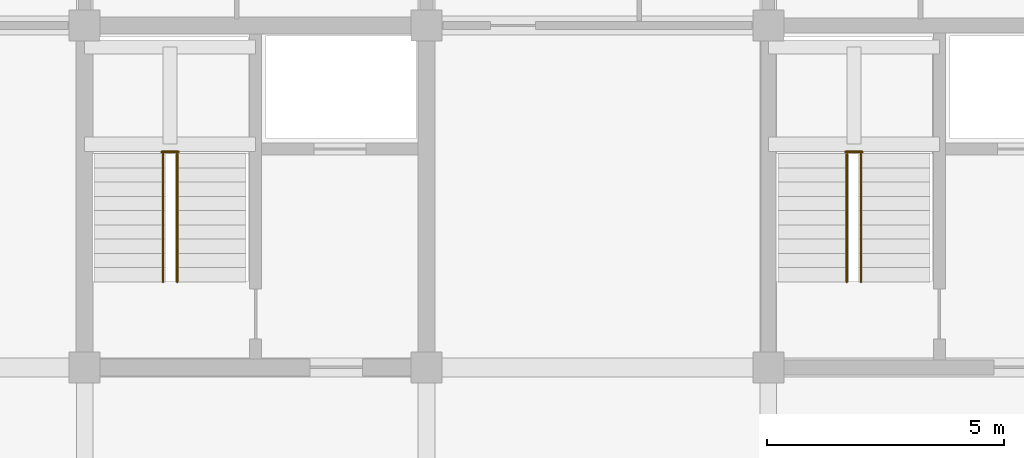
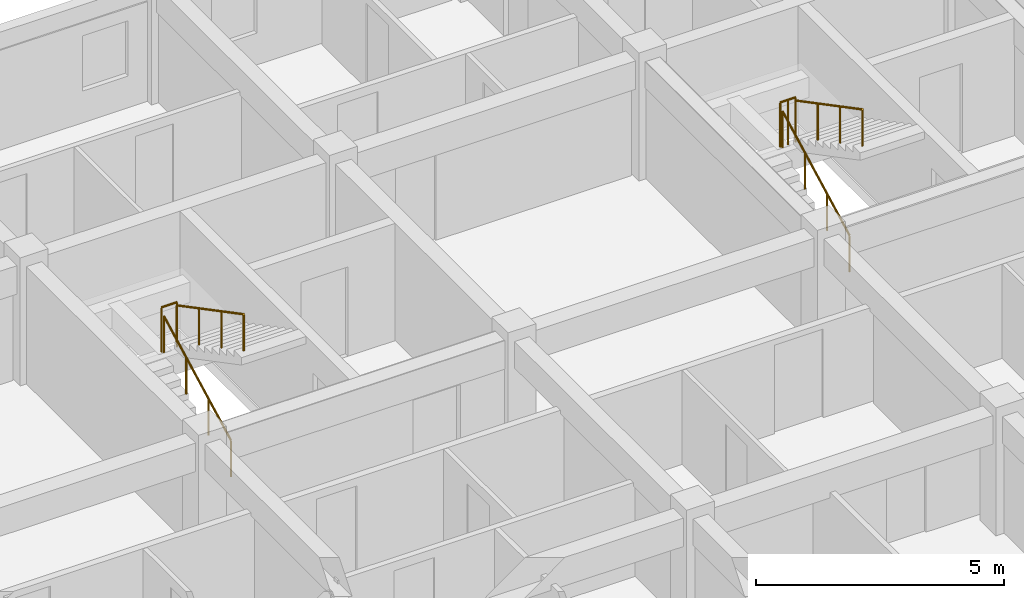
# One storey, part 50 of 50: 6 railings.
"""IFC4 building model written with IfcOpenShell, lengths in metres."""

import ifcopenshell
import ifcopenshell.guid

model = None  # the IFC model being written
_history = None  # IfcOwnerHistory: only IFC2X3 demands one
_inside = {}  # id of a spatial element -> (the spatial element, [elements in it])
_under = {}  # id of a project, library or spatial element -> (it, [spatial elements below it])
_declared = {}  # id of a project -> (the project, [libraries it declares])
_typed = {}  # id of a type object -> (the type object, [elements of that type])
_made_of = {}  # id of a material, layer set ... -> (it, [elements and type objects made of it])


def new_model(schema):
    """Start an empty IFC model of exactly this schema.

    Asked for "IFC4X3", IfcOpenShell would pick the latest addendum, in which some entities
    have other attributes; the version numbers below select the first issue.
    IFC2X3 requires an IfcOwnerHistory on every rooted entity: one is made here for all.
    """
    global model, _history
    if schema == "IFC4X3":
        model = ifcopenshell.file(schema_version=(4, 3, 0, 0))
    else:
        model = ifcopenshell.file(schema=schema)
    _inside.clear()
    _under.clear()
    _declared.clear()
    _typed.clear()
    _made_of.clear()
    _history = None
    if model.schema == "IFC2X3":
        org = make("IfcOrganization", Name="unknown")
        user = make(
            "IfcPersonAndOrganization",
            ThePerson=make("IfcPerson", FamilyName="unknown"),
            TheOrganization=org,
        )
        app = make(
            "IfcApplication",
            ApplicationDeveloper=org,
            Version="unknown",
            ApplicationFullName="unknown",
            ApplicationIdentifier="unknown",
        )
        _history = make(
            "IfcOwnerHistory",
            OwningUser=user,
            OwningApplication=app,
            ChangeAction="ADDED",
            CreationDate=0,
        )
    return model


def make(cls, **values):
    """One entity of the class cls with the attributes given. An attribute that is None is left unset."""
    return model.create_entity(
        cls, **{name: value for name, value in values.items() if value is not None}
    )


def rooted(cls, **values):
    """An entity with a GlobalId (a new one), such as an element, a storey or a relation."""
    return make(cls, GlobalId=ifcopenshell.guid.new(), OwnerHistory=_history, **values)


def si_unit(unit_type, name, prefix=None):
    """IfcSIUnit, for example si_unit("LENGTHUNIT", "METRE", prefix="MILLI")."""
    return make("IfcSIUnit", UnitType=unit_type, Prefix=prefix, Name=name)


def assignment(units):
    """IfcUnitAssignment: the units of a project."""
    return None if units is None else make("IfcUnitAssignment", Units=units)


def point(xyz):
    """IfcCartesianPoint."""
    return None if xyz is None else make("IfcCartesianPoint", Coordinates=xyz)


def direction(xyz):
    """IfcDirection."""
    return None if xyz is None else make("IfcDirection", DirectionRatios=xyz)


def frame(location, z_axis=None, x_axis=None):
    """IfcAxis2Placement3D, a coordinate frame: its origin and axes. An axis left out is left unset."""
    return make(
        "IfcAxis2Placement3D",
        Location=point(location),
        Axis=direction(z_axis),
        RefDirection=direction(x_axis),
    )


def frame_2d(location, x_axis=None):
    """IfcAxis2Placement2D, a coordinate frame in the plane: its origin and x axis."""
    return make(
        "IfcAxis2Placement2D", Location=point(location), RefDirection=direction(x_axis)
    )


def origin():
    """The frame at (0, 0, 0) with its axes left unset."""
    return frame((0.0, 0.0, 0.0))


def origin_2d():
    """The frame at (0, 0) in the plane with its x axis left unset."""
    return frame_2d((0.0, 0.0))


def place(relative_to, where):
    """IfcLocalPlacement: puts the frame where relative to a parent placement (None: the world)."""
    return make(
        "IfcLocalPlacement", PlacementRelTo=relative_to, RelativePlacement=where
    )


def context(
    kind, dimensions, precision=None, world=None, true_north=None, identifier=None
):
    """IfcGeometricRepresentationContext, for example the 3D "Model" context."""
    return make(
        "IfcGeometricRepresentationContext",
        ContextIdentifier=identifier,
        ContextType=kind,
        CoordinateSpaceDimension=dimensions,
        Precision=precision,
        WorldCoordinateSystem=world,
        TrueNorth=true_north,
    )


def subcontext(parent, identifier, kind, view, scale=None):
    """IfcGeometricRepresentationSubContext, for example "Body" below "Model"."""
    return make(
        "IfcGeometricRepresentationSubContext",
        ContextIdentifier=identifier,
        ContextType=kind,
        ParentContext=parent,
        TargetScale=scale,
        TargetView=view,
    )


def project(units=None, contexts=None):
    """IfcProject with its units and contexts."""
    return rooted(
        "IfcProject",
        Name="project",
        RepresentationContexts=contexts,
        UnitsInContext=assignment(units),
    )


def spatial(cls, under=None, at=None, **own):
    """A site, building, storey or space (cls), placed at a placement, below another one or the project."""
    s = rooted(cls, ObjectPlacement=at, **own)
    if under is not None:
        _under.setdefault(under.id(), (under, []))[1].append(s)
    return s


def profile(cls, at=None, kind="AREA", **sizes):
    """A parametric profile (cls). Its sizes go by their IFC names, for example OverallWidth=200.0."""
    return make(cls, ProfileType=kind, Position=at, **sizes)


def circle(**sizes):
    """IfcCircleProfileDef."""
    return profile("IfcCircleProfileDef", **sizes)


def extrude(swept, where, along, depth):
    """IfcExtrudedAreaSolid: the profile swept, set in the frame where, extruded along a direction by depth."""
    return make(
        "IfcExtrudedAreaSolid",
        SweptArea=swept,
        Position=where,
        ExtrudedDirection=direction(along),
        Depth=depth,
    )


def shape(context_of_items, identifier, shape_type, items):
    """IfcShapeRepresentation: the items that make up one representation, for example the "Body"."""
    return make(
        "IfcShapeRepresentation",
        ContextOfItems=context_of_items,
        RepresentationIdentifier=identifier,
        RepresentationType=shape_type,
        Items=items,
    )


def material(Name=None, Category=None):
    """IfcMaterial."""
    return make("IfcMaterial", Name=Name, Category=Category)


def made_of(thing, what):
    """Note that an element or type object is made of a material, layer set ...; save() writes the relation."""
    if what is not None:
        _made_of.setdefault(what.id(), (what, []))[1].append(thing)
    return thing


def type_object(cls, material=None, **own):
    """A type object (cls), such as IfcWallType, which elements share."""
    return made_of(rooted(cls, **own), material)


def element(
    cls,
    number,
    at=None,
    inside=None,
    cuts=None,
    type_object=None,
    material=None,
    context=None,
    identifier="Body",
    shape_type=None,
    held_by="IfcProductDefinitionShape",
    body=None,
    shapes=None,
    **own,
):
    """One element of the class cls, such as IfcWall. Its Tag is "e" and its number.

    at: its placement. inside: the storey or other place that contains it. cuts: it is an
    opening in that element (IfcRelVoidsElement). A single representation is given by context,
    identifier, shape_type and body (its items); several are given by shapes. held_by: the class
    of the entity that holds the representations. save() writes the other relations.
    """
    e = rooted(cls, Tag="e%d" % number, ObjectPlacement=at, **own)
    if body is not None:
        shapes = [shape(context, identifier, shape_type, body)]
    if shapes is not None:
        e.Representation = make(held_by, Representations=shapes)
    if inside is not None:
        _inside.setdefault(inside.id(), (inside, []))[1].append(e)
    if cuts is not None:
        rooted(
            "IfcRelVoidsElement", RelatingBuildingElement=cuts, RelatedOpeningElement=e
        )
    if type_object is not None:
        _typed.setdefault(type_object.id(), (type_object, []))[1].append(e)
    return made_of(e, material)


def aggregate(whole, parts):
    """IfcRelAggregates: a whole, such as a stair, and the parts it consists of."""
    return rooted("IfcRelAggregates", RelatingObject=whole, RelatedObjects=parts)


def save(model, path):
    """Write the relations noted so far, then the file.

    IfcRelAggregates (storeys below a building ...), IfcRelContainedInSpatialStructure (elements
    in a storey), IfcRelDefinesByType, IfcRelAssociatesMaterial and IfcRelDeclares: one each for
    every whole, place, type object, material and project.
    """
    for whole, parts in _under.values():
        aggregate(whole, parts)
    for where, things in _inside.values():
        rooted(
            "IfcRelContainedInSpatialStructure",
            RelatedElements=things,
            RelatingStructure=where,
        )
    for kind, things in _typed.values():
        rooted("IfcRelDefinesByType", RelatedObjects=things, RelatingType=kind)
    for what, things in _made_of.values():
        rooted("IfcRelAssociatesMaterial", RelatedObjects=things, RelatingMaterial=what)
    for by, libraries in _declared.values():
        rooted("IfcRelDeclares", RelatingContext=by, RelatedDefinitions=libraries)
    model.write(path)


model = new_model("IFC4")

# Units and contexts
model_context = context("Model", 3, precision=1e-05, world=origin(), true_north=direction((0.0, 1.0)))
body_context = subcontext(model_context, "Body", "Model", "MODEL_VIEW")
ifc_project = project(units=[si_unit("LENGTHUNIT", "METRE"), si_unit("AREAUNIT", "SQUARE_METRE"), si_unit("VOLUMEUNIT", "CUBIC_METRE"), si_unit("PLANEANGLEUNIT", "RADIAN"), si_unit("MASSUNIT", "GRAM", prefix="KILO"), si_unit("THERMODYNAMICTEMPERATUREUNIT", "KELVIN"), si_unit("POWERUNIT", "WATT")], contexts=[model_context])

# Site, building, storey
site_placement = place(None, origin())
site = spatial("IfcSite", under=ifc_project, at=site_placement, CompositionType="ELEMENT")
building_placement = place(site_placement, origin())
building = spatial("IfcBuilding", under=site, at=building_placement, Name="Tavuni Mirador Residences", CompositionType="ELEMENT")
storey_placement = place(building_placement, frame((0.0, 0.0, 4.5)))
storey = spatial("IfcBuildingStorey", under=building, at=storey_placement, Name="L01", CompositionType="ELEMENT", Elevation=4.5)

# Railings
ifc_material = material(Name="Structural steel S355", Category="steel")
railing_type_1 = type_object("IfcRailingType", Name="RT-GR1120", PredefinedType="GUARDRAIL", material=ifc_material)
railing_1_placement = place(storey_placement, frame((26.820068359375, 162.93994140625, 1.574951171875)))
element("IfcRailing", 1, at=railing_1_placement, inside=storey, type_object=railing_type_1, Name="GRD-HL-ST5-L01", PredefinedType="GUARDRAIL", context=body_context, shape_type="SweptSolid", body=[
    extrude(circle(Radius=0.02392578125, at=origin_2d()), frame((0.0, 0.0, 1.09619140625), z_axis=(1.0, 0.0, 0.0), x_axis=(0.0, 1.0, 0.0)), (0.0, 0.0, 1.0), 0.35986328125),
    extrude(circle(Radius=0.02099609375, at=origin_2d()), origin(), (0.0, 0.0, 1.0), 1.072021484375),
    extrude(circle(Radius=0.02099609375, at=origin_2d()), frame((0.35986328125, 0.0, 0.0)), (0.0, 0.0, 1.0), 1.072021484375),
])
railing_2_placement = place(storey_placement, frame((41.219970703125, 162.93994140625, 1.574951171875)))
element("IfcRailing", 2, at=railing_2_placement, inside=storey, type_object=railing_type_1, Name="GRD-HL-ST6-L01", PredefinedType="GUARDRAIL", context=body_context, shape_type="SweptSolid", body=[
    extrude(circle(Radius=0.02392578125, at=origin_2d()), frame((0.0, 0.0, 1.09619140625), z_axis=(1.0, 0.0, 0.0), x_axis=(0.0, 1.0, 0.0)), (0.0, 0.0, 1.0), 0.360107421875),
    extrude(circle(Radius=0.02099609375, at=origin_2d()), origin(), (0.0, 0.0, 1.0), 1.072021484375),
    extrude(circle(Radius=0.02099609375, at=origin_2d()), frame((0.18017578125, 0.0, 0.0)), (0.0, 0.0, 1.0), 1.072021484375),
    extrude(circle(Radius=0.02099609375, at=origin_2d()), frame((0.360107421875, 0.0, 0.0)), (0.0, 0.0, 1.0), 1.072021484375),
])
railing_type_2 = type_object("IfcRailingType", Name="RT-HR920", PredefinedType="HANDRAIL", material=ifc_material)
railing_3_placement = place(storey_placement, frame((26.85009765625, 160.199951171875, 0.157470703125)))
element("IfcRailing", 3, at=railing_3_placement, inside=storey, type_object=railing_type_2, Name="HR-ST5-L01-F1", PredefinedType="HANDRAIL", context=body_context, shape_type="SweptSolid", body=[
    extrude(circle(Radius=0.02392578125, at=origin_2d()), frame((0.0, 0.0, 0.89599609375), z_axis=(0.0, 0.885397079081, 0.464835468048), x_axis=(-1.0, 0.0, 0.0)), (0.0, 0.0, 1.0), 3.04931640625),
    extrude(circle(Radius=0.02099609375, at=origin_2d()), origin(), (0.0, 0.0, 1.0), 0.871826171875),
    extrude(circle(Radius=0.02099609375, at=origin_2d()), frame((0.0, 0.89990234375, 0.472412109375)), (0.0, 0.0, 1.0), 0.871826171875),
    extrude(circle(Radius=0.02099609375, at=origin_2d()), frame((0.0, 1.800048828125, 0.945068359375)), (0.0, 0.0, 1.0), 0.871826171875),
    extrude(circle(Radius=0.02099609375, at=origin_2d()), frame((0.0, 2.699951171875, 1.41748046875)), (0.0, 0.0, 1.0), 0.871826171875),
])
railing_4_placement = place(storey_placement, frame((27.14990234375, 162.89990234375, 1.732421875)))
element("IfcRailing", 4, at=railing_4_placement, inside=storey, type_object=railing_type_2, Name="HR-ST5-L01-F2", PredefinedType="HANDRAIL", context=body_context, shape_type="SweptSolid", body=[
    extrude(circle(Radius=0.02392578125, at=origin_2d()), frame((0.0, 0.0, 0.89599609375), z_axis=(0.0, -0.885397079081, 0.464835468048), x_axis=(1.0, 0.0, 0.0)), (0.0, 0.0, 1.0), 3.04931640625),
    extrude(circle(Radius=0.02099609375, at=origin_2d()), origin(), (0.0, 0.0, 1.0), 0.871826171875),
    extrude(circle(Radius=0.02099609375, at=origin_2d()), frame((0.0, -0.89990234375, 0.472412109375)), (0.0, 0.0, 1.0), 0.871826171875),
    extrude(circle(Radius=0.02099609375, at=origin_2d()), frame((0.0, -1.800048828125, 0.945068359375)), (0.0, 0.0, 1.0), 0.871826171875),
    extrude(circle(Radius=0.02099609375, at=origin_2d()), frame((0.0, -2.699951171875, 1.41748046875)), (0.0, 0.0, 1.0), 0.871826171875),
])
railing_5_placement = place(storey_placement, frame((41.25, 160.199951171875, 0.157470703125)))
element("IfcRailing", 5, at=railing_5_placement, inside=storey, type_object=railing_type_2, Name="HR-ST6-L01-F1", PredefinedType="HANDRAIL", context=body_context, shape_type="SweptSolid", body=[
    extrude(circle(Radius=0.02392578125, at=origin_2d()), frame((0.0, 0.0, 0.89599609375), z_axis=(0.0, 0.885397079081, 0.464835468048), x_axis=(-1.0, 0.0, 0.0)), (0.0, 0.0, 1.0), 3.04931640625),
    extrude(circle(Radius=0.02099609375, at=origin_2d()), origin(), (0.0, 0.0, 1.0), 0.871826171875),
    extrude(circle(Radius=0.02099609375, at=origin_2d()), frame((0.0, 0.89990234375, 0.472412109375)), (0.0, 0.0, 1.0), 0.871826171875),
    extrude(circle(Radius=0.02099609375, at=origin_2d()), frame((0.0, 1.800048828125, 0.945068359375)), (0.0, 0.0, 1.0), 0.871826171875),
    extrude(circle(Radius=0.02099609375, at=origin_2d()), frame((0.0, 2.699951171875, 1.41748046875)), (0.0, 0.0, 1.0), 0.871826171875),
])
railing_6_placement = place(storey_placement, frame((41.550048828125, 162.89990234375, 1.732421875)))
element("IfcRailing", 6, at=railing_6_placement, inside=storey, type_object=railing_type_2, Name="HR-ST6-L01-F2", PredefinedType="HANDRAIL", context=body_context, shape_type="SweptSolid", body=[
    extrude(circle(Radius=0.02392578125, at=origin_2d()), frame((0.0, 0.0, 0.89599609375), z_axis=(0.0, -0.885397079081, 0.464835468048), x_axis=(1.0, 0.0, 0.0)), (0.0, 0.0, 1.0), 3.04931640625),
    extrude(circle(Radius=0.02099609375, at=origin_2d()), origin(), (0.0, 0.0, 1.0), 0.871826171875),
    extrude(circle(Radius=0.02099609375, at=origin_2d()), frame((0.0, -0.89990234375, 0.472412109375)), (0.0, 0.0, 1.0), 0.871826171875),
    extrude(circle(Radius=0.02099609375, at=origin_2d()), frame((0.0, -1.800048828125, 0.945068359375)), (0.0, 0.0, 1.0), 0.871826171875),
    extrude(circle(Radius=0.02099609375, at=origin_2d()), frame((0.0, -2.699951171875, 1.41748046875)), (0.0, 0.0, 1.0), 0.871826171875),
])

save(model, "model.ifc")
